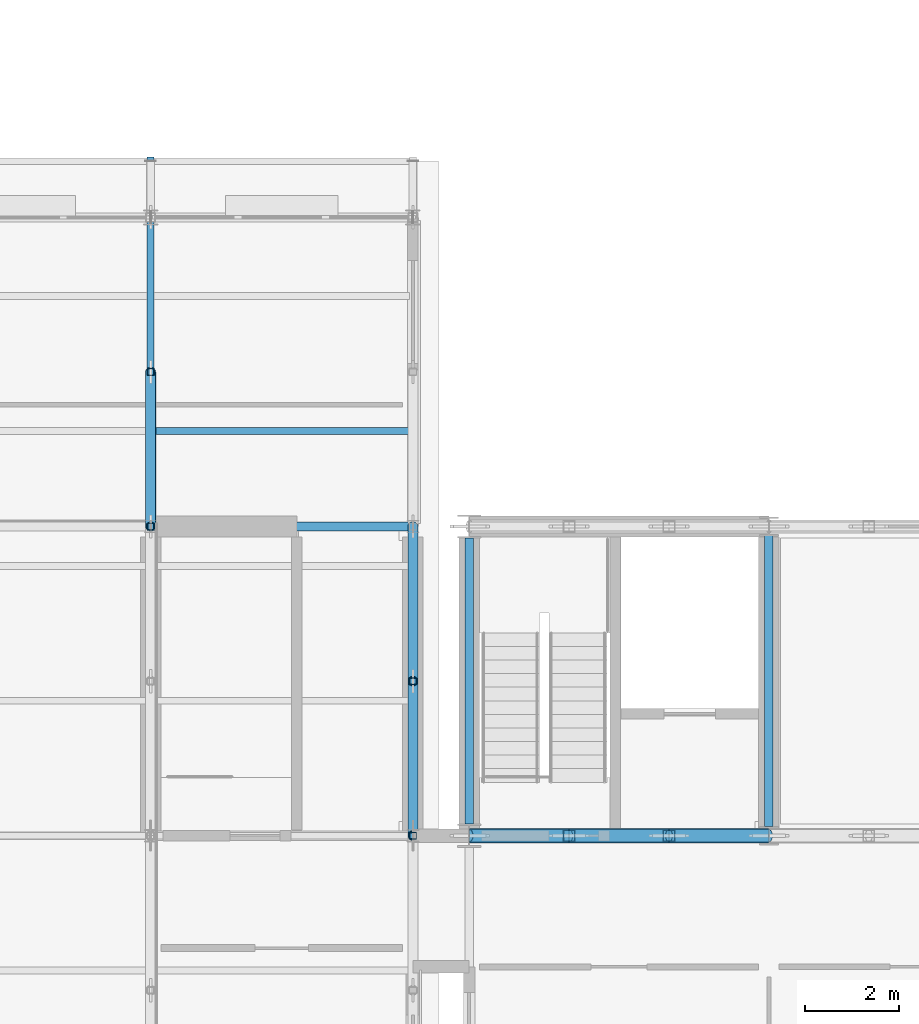
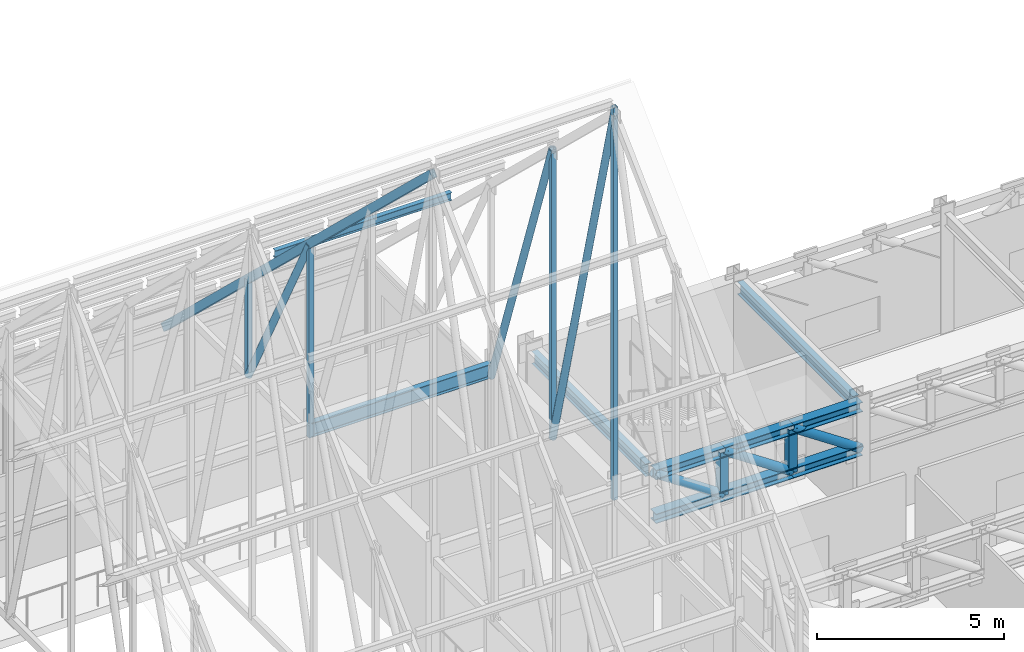
# One storey, part 56 of 144: 20 members, 3 beams.
"""IFC4 building model written with IfcOpenShell, lengths in metres."""

from ifc_helpers import new_model, si_unit, direction, frame, origin, origin_2d, place, context, subcontext, project, spatial, hollow_rectangle, hollow_circle, i_section, extrude, material, material_profile, profile_set, type_object, element, save


model = new_model("IFC4")

# Units and contexts
model_context = context("Model", 3, precision=1e-05, world=origin(), true_north=direction((0.0, 1.0)))
body_context = subcontext(model_context, "Body", "Model", "MODEL_VIEW")
ifc_project = project(units=[si_unit("LENGTHUNIT", "METRE"), si_unit("AREAUNIT", "SQUARE_METRE"), si_unit("VOLUMEUNIT", "CUBIC_METRE"), si_unit("PLANEANGLEUNIT", "RADIAN"), si_unit("MASSUNIT", "GRAM", prefix="KILO")], contexts=[model_context])

# Site, building, storey
site_placement = place(None, origin())
site = spatial("IfcSite", under=ifc_project, at=site_placement, CompositionType="ELEMENT")
building_placement = place(site_placement, origin())
building = spatial("IfcBuilding", under=site, at=building_placement, Name="Trelmorton Wharf Fire Station", CompositionType="ELEMENT")
storey_placement = place(building_placement, frame((0.0, 0.0, 5.39990234375)))
storey = spatial("IfcBuildingStorey", under=building, at=storey_placement, Name="L01", CompositionType="ELEMENT", Elevation=5.39990234375)

# Beams
ifc_material_1 = material(Name="Steel Grade 350", Category="steel")
ifc_material_profile_1 = material_profile(ifc_material_1, i_section(OverallWidth=0.177978515625, OverallDepth=0.406005859375, WebThickness=0.0078125, FlangeThickness=0.0126953125, FilletRadius=0.011474609375, at=origin_2d()), Name="410UB59.7")
ifc_profile_set_1 = profile_set([ifc_material_profile_1], Name="Steel Grade 350")
beam_type_1 = type_object("IfcBeamType", Name="BM_410UB60", PredefinedType="BEAM", material=ifc_profile_set_1)
beam_1_placement = place(storey_placement, frame((58.0, 21.24609375, 3.72705078125), z_axis=(0.0, 1.0, 0.0), x_axis=(-1.0, 0.0, 0.0)))
element("IfcBeam", 1, at=beam_1_placement, inside=storey, type_object=beam_type_1, Name="BM-L01-0588", PredefinedType="BEAM", context=body_context, shape_type="SweptSolid", body=[
    extrude(i_section(OverallWidth=0.177978515625, OverallDepth=0.406005859375, WebThickness=0.0078125, FlangeThickness=0.0126953125, FilletRadius=0.011474609375, at=origin_2d()), origin(), (0.0, 0.0, 1.0), 6.10791015625),
])
beam_2_placement = place(storey_placement, frame((64.39990234375, 21.196044921875, 3.72705078125), z_axis=(0.0, 1.0, 0.0), x_axis=(-1.0, 0.0, 0.0)))
element("IfcBeam", 2, at=beam_2_placement, inside=storey, type_object=beam_type_1, Name="BM-L01-0589", PredefinedType="BEAM", context=body_context, shape_type="SweptSolid", body=[
    extrude(i_section(OverallWidth=0.177978515625, OverallDepth=0.406005859375, WebThickness=0.0078125, FlangeThickness=0.0126953125, FilletRadius=0.011474609375, at=origin_2d()), origin(), (0.0, 0.0, 1.0), 6.2080078125),
])

# Member
ifc_material_2 = material(Name="Steel Grade 300 (300 MPa)", Category="steel")
ifc_material_profile_2 = material_profile(ifc_material_2, i_section(OverallWidth=0.14599609375, OverallDepth=0.256103515625, WebThickness=0.00634765625, FlangeThickness=0.010986328125, FilletRadius=0.0087890625, at=origin_2d()), Name="250UB37.3")
ifc_profile_set_2 = profile_set([ifc_material_profile_2], Name="Steel Grade 300 (300 MPa)")
member_type_1 = type_object("IfcMemberType", Name="PR_250UB37", PredefinedType="PURLIN", material=ifc_profile_set_2)
member_1_placement = place(storey_placement, frame((51.27197265625, 29.639892578125, 8.064453125), z_axis=(1.0, 0.0, 0.0), x_axis=(0.0, 1.0, 0.0)))
element("IfcMember", 3, at=member_1_placement, inside=storey, type_object=member_type_1, Name="V1-PR-B10-N3", PredefinedType="PURLIN", context=body_context, shape_type="SweptSolid", body=[
    extrude(i_section(OverallWidth=0.14599609375, OverallDepth=0.256103515625, WebThickness=0.00634765625, FlangeThickness=0.010986328125, FilletRadius=0.0087890625, at=origin_2d()), origin(), (0.0, 0.0, 1.0), 5.4560546875),
])

# Beam
ifc_material_profile_3 = material_profile(ifc_material_1, i_section(OverallWidth=0.18994140625, OverallDepth=0.45703125, WebThickness=0.009033203125, FlangeThickness=0.014404296875, FilletRadius=0.011474609375, at=origin_2d()), Name="460UB74.6")
ifc_profile_set_3 = profile_set([ifc_material_profile_3], Name="Steel Grade 350")
beam_type_2 = type_object("IfcBeamType", Name="SP_460UB75", PredefinedType="SPANDREL", material=ifc_profile_set_3)
beam_3_placement = place(storey_placement, frame((51.2041015625, 27.60009765625, 3.591552734375), z_axis=(1.0, 0.0, 0.0), x_axis=(0.0, 1.0, 0.0)))
element("IfcBeam", 4, at=beam_3_placement, inside=storey, type_object=beam_type_2, Name="BM-L01-0461", PredefinedType="SPANDREL", context=body_context, shape_type="SweptSolid", body=[
    extrude(i_section(OverallWidth=0.18994140625, OverallDepth=0.45703125, WebThickness=0.009033203125, FlangeThickness=0.014404296875, FilletRadius=0.011474609375, at=origin_2d()), origin(), (0.0, 0.0, 1.0), 5.591796875),
])

# Members
ifc_material_profile_4 = material_profile(ifc_material_1, i_section(OverallWidth=0.306884765625, OverallDepth=0.31494140625, WebThickness=0.011962890625, FlangeThickness=0.018798828125, FilletRadius=0.0166015625, at=origin_2d()), Name="310UC118")
ifc_profile_set_4 = profile_set([ifc_material_profile_4], Name="Steel Grade 350")
member_type_2 = type_object("IfcMemberType", Name="TR_CHORD_310UC", PredefinedType="CHORD", material=ifc_profile_set_4)
for number, where, z_axis, x_axis, name in (
    (5, (58.008056640625, 21.0, 2.35009765625), (1.0, 0.0, 0.0), (0.0, 1.0, 0.0), "Transfer Truss TT3 Bottom Chord 1"),
    (6, (58.008056640625, 21.0, 3.780029296875), (1.0, 0.0, 0.0), (0.0, 1.0, 0.0), "Transfer Truss TT3 Top Chord 1"),
):
    element("IfcMember", number, at=place(storey_placement, frame(where, z_axis=z_axis, x_axis=x_axis)), inside=storey, type_object=member_type_2, Name=name, PredefinedType="CHORD", context=body_context, shape_type="SweptSolid", body=[
        extrude(i_section(OverallWidth=0.306884765625, OverallDepth=0.31494140625, WebThickness=0.011962890625, FlangeThickness=0.018798828125, FilletRadius=0.0166015625, at=origin_2d()), origin(), (0.0, 0.0, 1.0), 2.125244140625),
    ])
for number, where, z_axis, x_axis, name in (
    (7, (60.13330078125, 21.0, 2.35009765625), (1.0, 0.0, 0.0), (0.0, 1.0, 0.0), "Transfer Truss TT3 Bottom Chord 2"),
    (8, (60.13330078125, 21.0, 3.780029296875), (1.0, 0.0, 0.0), (0.0, 1.0, 0.0), "Transfer Truss TT3 Top Chord 2"),
    (9, (62.2666015625, 21.0, 2.35009765625), (1.0, 0.0, 0.0), (0.0, 1.0, 0.0), "Transfer Truss TT3 Bottom Chord 3"),
    (10, (62.2666015625, 21.0, 3.780029296875), (1.0, 0.0, 0.0), (0.0, 1.0, 0.0), "Transfer Truss TT3 Top Chord 3"),
):
    element("IfcMember", number, at=place(storey_placement, frame(where, z_axis=z_axis, x_axis=x_axis)), inside=storey, type_object=member_type_2, Name=name, PredefinedType="CHORD", context=body_context, shape_type="SweptSolid", body=[
        extrude(i_section(OverallWidth=0.306884765625, OverallDepth=0.31494140625, WebThickness=0.011962890625, FlangeThickness=0.018798828125, FilletRadius=0.0166015625, at=origin_2d()), origin(), (0.0, 0.0, 1.0), 2.13330078125),
    ])
ifc_material_3 = material(Name="Steel C350L0 (350 MPa)", Category="steel")
ifc_material_profile_5 = material_profile(ifc_material_3, hollow_circle(Radius=0.109619140625, WallThickness=0.00830078125, at=origin_2d()), Name="219.1x8.2CHS")
ifc_profile_set_5 = profile_set([ifc_material_profile_5], Name="Steel C350L0 (350 MPa)")
member_type_3 = type_object("IfcMemberType", Name="TR_DIAG_219CHS", PredefinedType="STRUT", material=ifc_profile_set_5)
member_2_placement = place(storey_placement, frame((51.199951171875, 30.89990234375, 3.351806640625), z_axis=(0.0, -0.463982622554, 0.8858443012), x_axis=(1.0, 0.0, 0.0)))
element("IfcMember", 11, at=member_2_placement, inside=storey, type_object=member_type_3, Name="V1-TR10-DG-N1", PredefinedType="STRUT", context=body_context, shape_type="SweptSolid", body=[
    extrude(hollow_circle(Radius=0.109619140625, WallThickness=0.00830078125, at=origin_2d()), origin(), (0.0, 0.0, 1.0), 7.11181640625),
])
member_3_placement = place(storey_placement, frame((56.800048828125, 27.60009765625, 3.351806640625), z_axis=(0.0, -0.329681107508, 0.944092351072), x_axis=(1.0, 0.0, 0.0)))
element("IfcMember", 12, at=member_3_placement, inside=storey, type_object=member_type_3, Name="V1-TR11-DG-N2", PredefinedType="STRUT", context=body_context, shape_type="SweptSolid", body=[
    extrude(hollow_circle(Radius=0.109619140625, WallThickness=0.00830078125, at=origin_2d()), origin(), (0.0, 0.0, 1.0), 10.009765625),
])
member_4_placement = place(storey_placement, frame((56.800048828125, 24.300048828125, 3.351806640625), z_axis=(0.0, -0.25336106238, 0.967371785856), x_axis=(1.0, 0.0, 0.0)))
element("IfcMember", 13, at=member_4_placement, inside=storey, type_object=member_type_3, Name="V1-TR11-DG-N3", PredefinedType="STRUT", context=body_context, shape_type="SweptSolid", body=[
    extrude(hollow_circle(Radius=0.109619140625, WallThickness=0.00830078125, at=origin_2d()), origin(), (0.0, 0.0, 1.0), 13.025146484375),
])
ifc_material_profile_6 = material_profile(ifc_material_3, hollow_circle(Radius=0.136474609375, WallThickness=0.00927734375, at=origin_2d()), Name="273.1x9.3CHS")
ifc_profile_set_6 = profile_set([ifc_material_profile_6], Name="Steel C350L0 (350 MPa)")
member_type_4 = type_object("IfcMemberType", Name="TR_DIAG_273CHS", PredefinedType="STRUT", material=ifc_profile_set_6)
member_5_placement = place(storey_placement, frame((58.008056640625, 21.0, 3.780029296875), z_axis=(0.829681979405, 0.0, -0.558236341571), x_axis=(0.0, 1.0, 0.0)))
element("IfcMember", 14, at=member_5_placement, inside=storey, type_object=member_type_4, Name="TT3-DG-1", PredefinedType="STRUT", context=body_context, shape_type="SweptSolid", body=[
    extrude(hollow_circle(Radius=0.136474609375, WallThickness=0.00927734375, at=origin_2d()), origin(), (0.0, 0.0, 1.0), 2.5615234375),
])
for number, where, z_axis, x_axis, name in (
    (15, (60.13330078125, 21.0, 3.780029296875), (0.830658305664, 0.0, -0.556782524179), (0.0, 1.0, 0.0), "TT3-DG-2"),
    (16, (62.2666015625, 21.0, 3.780029296875), (0.830658305664, 0.0, -0.556782524179), (0.0, 1.0, 0.0), "TT3-DG-3"),
):
    element("IfcMember", number, at=place(storey_placement, frame(where, z_axis=z_axis, x_axis=x_axis)), inside=storey, type_object=member_type_4, Name=name, PredefinedType="STRUT", context=body_context, shape_type="SweptSolid", body=[
        extrude(hollow_circle(Radius=0.136474609375, WallThickness=0.00927734375, at=origin_2d()), origin(), (0.0, 0.0, 1.0), 2.568115234375),
    ])
ifc_material_profile_7 = material_profile(ifc_material_3, hollow_rectangle(XDim=0.14990234375, YDim=0.14990234375, WallThickness=0.009033203125, at=origin_2d()), Name="150x150x9.0SHS")
ifc_profile_set_7 = profile_set([ifc_material_profile_7], Name="Steel C350L0 (350 MPa)")
member_type_5 = type_object("IfcMemberType", Name="TR_POST_150SHS", PredefinedType="POST", material=ifc_profile_set_7)
member_6_placement = place(storey_placement, frame((51.199951171875, 30.89990234375, 3.351806640625), z_axis=(0.0, 0.0, 1.0), x_axis=(1.0, 0.0, 0.0)))
element("IfcMember", 17, at=member_6_placement, inside=storey, type_object=member_type_5, Name="V1-TR10-VP-N1", PredefinedType="POST", context=body_context, shape_type="SweptSolid", body=[
    extrude(hollow_rectangle(XDim=0.14990234375, YDim=0.14990234375, WallThickness=0.009033203125, at=origin_2d()), origin(), (0.0, 0.0, 1.0), 3.150146484375),
])
member_7_placement = place(storey_placement, frame((51.199951171875, 27.60009765625, 3.351806640625), z_axis=(0.0, 0.0, 1.0), x_axis=(1.0, 0.0, 0.0)))
element("IfcMember", 18, at=member_7_placement, inside=storey, type_object=member_type_5, Name="V1-TR10-VP-N2", PredefinedType="POST", context=body_context, shape_type="SweptSolid", body=[
    extrude(hollow_rectangle(XDim=0.14990234375, YDim=0.14990234375, WallThickness=0.009033203125, at=origin_2d()), origin(), (0.0, 0.0, 1.0), 6.300048828125),
])
member_8_placement = place(storey_placement, frame((56.800048828125, 21.0, 3.351806640625), z_axis=(0.0, 0.0, 1.0), x_axis=(1.0, 0.0, 0.0)))
element("IfcMember", 19, at=member_8_placement, inside=storey, type_object=member_type_5, Name="V1-TR11-KP", PredefinedType="POST", context=body_context, shape_type="SweptSolid", body=[
    extrude(hollow_rectangle(XDim=0.14990234375, YDim=0.14990234375, WallThickness=0.009033203125, at=origin_2d()), origin(), (0.0, 0.0, 1.0), 12.8359375),
])
member_9_placement = place(storey_placement, frame((56.800048828125, 24.300048828125, 3.351806640625), z_axis=(0.0, 0.0, 1.0), x_axis=(1.0, 0.0, 0.0)))
element("IfcMember", 20, at=member_9_placement, inside=storey, type_object=member_type_5, Name="V1-TR11-VP-N3", PredefinedType="POST", context=body_context, shape_type="SweptSolid", body=[
    extrude(hollow_rectangle(XDim=0.14990234375, YDim=0.14990234375, WallThickness=0.009033203125, at=origin_2d()), origin(), (0.0, 0.0, 1.0), 9.4501953125),
])
ifc_material_4 = material(Name="Steel C450L0 (450 MPa)", Category="steel")
ifc_material_profile_8 = material_profile(ifc_material_4, hollow_rectangle(XDim=0.25, YDim=0.25, WallThickness=0.012451171875, at=origin_2d()), Name="250x250x12.5SHS")
ifc_profile_set_8 = profile_set([ifc_material_profile_8], Name="Steel C450L0 (450 MPa)")
member_type_6 = type_object("IfcMemberType", Name="TR_POST_250SHS", PredefinedType="POST", material=ifc_profile_set_8)
for number, where, z_axis, x_axis, name in (
    (21, (60.13330078125, 21.0, 2.35009765625), (0.0, 0.0, 1.0), (1.0, 0.0, 0.0), "TT3-VP-1"),
    (22, (62.2666015625, 21.0, 2.35009765625), (0.0, 0.0, 1.0), (1.0, 0.0, 0.0), "TT3-VP-2"),
):
    element("IfcMember", number, at=place(storey_placement, frame(where, z_axis=z_axis, x_axis=x_axis)), inside=storey, type_object=member_type_6, Name=name, PredefinedType="POST", context=body_context, shape_type="SweptSolid", body=[
        extrude(hollow_rectangle(XDim=0.25, YDim=0.25, WallThickness=0.012451171875, at=origin_2d()), origin(), (0.0, 0.0, 1.0), 1.429931640625),
    ])
ifc_material_profile_9 = material_profile(ifc_material_3, hollow_rectangle(XDim=0.14990234375, YDim=0.25, WallThickness=0.009033203125, at=origin_2d()), Name="250x150x9.0RHS")
ifc_profile_set_9 = profile_set([ifc_material_profile_9], Name="Steel C350L0 (350 MPa)")
member_type_7 = type_object("IfcMemberType", Name="TR_RAFT_250RHS", PredefinedType="RAFTER", material=ifc_profile_set_9)
member_10_placement = place(storey_placement, frame((51.199951171875, 21.0, 15.951904296875), z_axis=(0.0, 0.723349418794, -0.690482163659), x_axis=(-1.0, 0.0, 0.0)))
element("IfcMember", 23, at=member_10_placement, inside=storey, type_object=member_type_7, Name="V1-TR10-RFN", PredefinedType="RAFTER", context=body_context, shape_type="SweptSolid", body=[
    extrude(hollow_rectangle(XDim=0.14990234375, YDim=0.25, WallThickness=0.009033203125, at=origin_2d()), origin(), (0.0, 0.0, 1.0), 19.9072265625),
])

save(model, "model.ifc")
